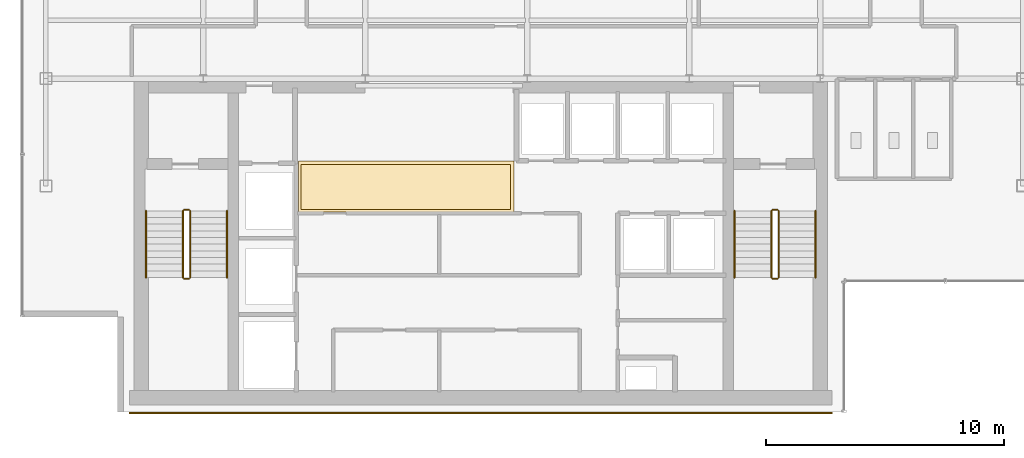
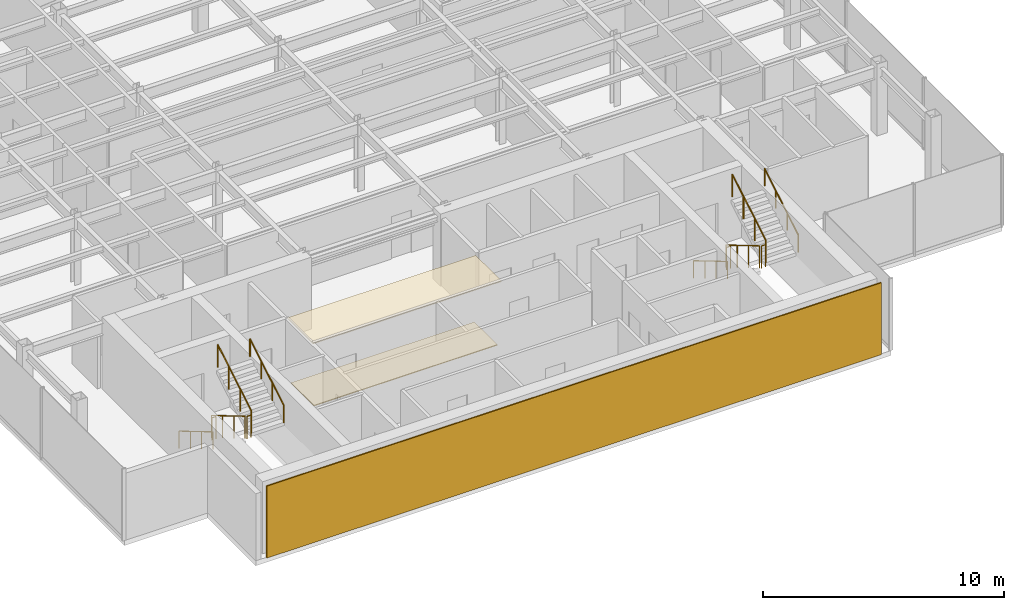
# One storey, part 20 of 22: 12 railings, 3 coverings.
"""IFC4 building model written with IfcOpenShell, lengths in metres."""

from ifc_helpers import new_model, si_unit, derived_unit, direction, frame, origin, origin_2d, place, context, subcontext, project, spatial, polyline, rectangle, circle, outline, extrude, source, transform, mapped, material, layer, layer_set, type_object, element, save


model = new_model("IFC4")

# Units and contexts
model_context = context("Model", 3, precision=1e-05, world=origin(), true_north=direction((0.0, 1.0)))
body_context = subcontext(model_context, "Body", "Model", "MODEL_VIEW")
ifc_project = project(units=[si_unit("LENGTHUNIT", "METRE"), si_unit("AREAUNIT", "SQUARE_METRE"), si_unit("VOLUMEUNIT", "CUBIC_METRE"), si_unit("PLANEANGLEUNIT", "RADIAN"), si_unit("MASSUNIT", "GRAM", prefix="KILO"), derived_unit("THERMALTRANSMITTANCEUNIT", [(si_unit("POWERUNIT", "WATT"), 1), (si_unit("LENGTHUNIT", "METRE"), -2), (si_unit("THERMODYNAMICTEMPERATUREUNIT", "KELVIN"), -1)])], contexts=[model_context])

# Site, building, storey
site_placement = place(None, origin())
site = spatial("IfcSite", under=ifc_project, at=site_placement, CompositionType="ELEMENT")
building_placement = place(site_placement, origin())
building = spatial("IfcBuilding", under=site, at=building_placement, Name="Skarnbrae Concourse Arena and Tower", CompositionType="ELEMENT")
storey_placement = place(building_placement, frame((0.0, 0.0, 266.10009765625)))
storey = spatial("IfcBuildingStorey", under=building, at=storey_placement, Name="L69", CompositionType="ELEMENT", Elevation=266.10009765625)

# Coverings
ifc_material_1 = material(Name="Mineral fibre acoustic ceiling tile", Category="other")
ifc_layer_1 = layer(ifc_material_1, 0.0400390625)
ifc_layer_set_1 = layer_set([ifc_layer_1], Name="Mineral fibre acoustic ceiling tile")
covering_type_1 = type_object("IfcCoveringType", Name="COV-CEIL-ACOUSTIC", PredefinedType="CEILING", material=ifc_layer_set_1)
covering_1_placement = place(storey_placement, frame((0.0, 0.0, 3.239990234375)))
element("IfcCovering", 1, at=covering_1_placement, inside=storey, type_object=covering_type_1, Name="L69 Lift lobby acoustic ceiling", PredefinedType="CEILING", context=body_context, shape_type="SweptSolid", body=[
    extrude(outline(polyline([(11.60009765625, 8.39990234375), (20.64990234375, 8.39990234375), (20.64990234375, 10.550048828125), (11.60009765625, 10.550048828125), (11.60009765625, 8.39990234375)])), origin(), (0.0, 0.0, 1.0), 0.039794921875),
])
ifc_material_2 = material(Name="Polished granite terrazzo flooring", Category="masonry")
ifc_layer_2 = layer(ifc_material_2, 0.0400390625)
ifc_layer_set_2 = layer_set([ifc_layer_2], Name="Polished granite terrazzo flooring")
covering_type_2 = type_object("IfcCoveringType", Name="COV-FLOOR-TERRAZZO", PredefinedType="FLOORING", material=ifc_layer_set_2)
covering_2_placement = place(storey_placement, origin())
element("IfcCovering", 2, at=covering_2_placement, inside=storey, type_object=covering_type_2, Name="L69 Lift lobby terrazzo flooring", PredefinedType="FLOORING", context=body_context, shape_type="SweptSolid", body=[
    extrude(outline(polyline([(11.699951171875, 8.5), (20.5, 8.5), (20.5, 10.39990234375), (11.699951171875, 10.39990234375), (11.699951171875, 8.5)])), origin(), (0.0, 0.0, 1.0), 0.039794921875),
])

# Railings
ifc_material_3 = material(Name="Steel CSA G40.21 350W", Category="steel")
railing_type_1 = type_object("IfcRailingType", Name="RAIL-HANDRAIL-900", PredefinedType="HANDRAIL", material=ifc_material_3)
railing_1_placement = place(storey_placement, frame((5.199951171875, 8.449951171875, 0.165771484375)))
element("IfcRailing", 3, at=railing_1_placement, inside=storey, type_object=railing_type_1, Name="L69 ST-1 stair handrail 1", PredefinedType="HANDRAIL", context=body_context, shape_type="SweptSolid", body=[
    extrude(circle(Radius=0.02392578125, at=origin_2d()), frame((0.0, 0.0, 0.8759765625), z_axis=(0.0, -0.860306154799, 0.50977771628), x_axis=(1.0, 0.0, 0.0)), (0.0, 0.0, 1.0), 3.254638671875),
    extrude(circle(Radius=0.02099609375, at=origin_2d()), origin(), (0.0, 0.0, 1.0), 0.851806640625),
    extrude(circle(Radius=0.02099609375, at=origin_2d()), frame((0.0, -0.933349609375, 0.552978515625)), (0.0, 0.0, 1.0), 0.851806640625),
    extrude(circle(Radius=0.02099609375, at=origin_2d()), frame((0.0, -1.86669921875, 1.106201171875)), (0.0, 0.0, 1.0), 0.851806640625),
    extrude(circle(Radius=0.02099609375, at=origin_2d()), frame((0.0, -2.800048828125, 1.6591796875)), (0.0, 0.0, 1.0), 0.851806640625),
])
railing_2_placement = place(storey_placement, frame((8.60009765625, 5.64990234375, 1.99072265625)))
element("IfcRailing", 4, at=railing_2_placement, inside=storey, type_object=railing_type_1, Name="L69 ST-1 stair handrail 2", PredefinedType="HANDRAIL", context=body_context, shape_type="SweptSolid", body=[
    extrude(circle(Radius=0.02392578125, at=origin_2d()), frame((0.0, 0.0, 0.8759765625), z_axis=(0.0, 0.860306154799, 0.50977771628), x_axis=(-1.0, 0.0, 0.0)), (0.0, 0.0, 1.0), 3.254638671875),
    extrude(circle(Radius=0.02099609375, at=origin_2d()), origin(), (0.0, 0.0, 1.0), 0.851806640625),
    extrude(circle(Radius=0.02099609375, at=origin_2d()), frame((0.0, 0.933349609375, 0.552978515625)), (0.0, 0.0, 1.0), 0.851806640625),
    extrude(circle(Radius=0.02099609375, at=origin_2d()), frame((0.0, 1.86669921875, 1.106201171875)), (0.0, 0.0, 1.0), 0.851806640625),
    extrude(circle(Radius=0.02099609375, at=origin_2d()), frame((0.0, 2.800048828125, 1.6591796875)), (0.0, 0.0, 1.0), 0.851806640625),
])
railing_3_placement = place(storey_placement, frame((29.89990234375, 8.449951171875, 0.165771484375)))
element("IfcRailing", 5, at=railing_3_placement, inside=storey, type_object=railing_type_1, Name="L69 ST-2 stair handrail 1", PredefinedType="HANDRAIL", context=body_context, shape_type="SweptSolid", body=[
    extrude(circle(Radius=0.02392578125, at=origin_2d()), frame((0.0, 0.0, 0.8759765625), z_axis=(0.0, -0.860306154799, 0.50977771628), x_axis=(1.0, 0.0, 0.0)), (0.0, 0.0, 1.0), 3.254638671875),
    extrude(circle(Radius=0.02099609375, at=origin_2d()), origin(), (0.0, 0.0, 1.0), 0.851806640625),
    extrude(circle(Radius=0.02099609375, at=origin_2d()), frame((0.0, -0.933349609375, 0.552978515625)), (0.0, 0.0, 1.0), 0.851806640625),
    extrude(circle(Radius=0.02099609375, at=origin_2d()), frame((0.0, -1.86669921875, 1.106201171875)), (0.0, 0.0, 1.0), 0.851806640625),
    extrude(circle(Radius=0.02099609375, at=origin_2d()), frame((0.0, -2.800048828125, 1.6591796875)), (0.0, 0.0, 1.0), 0.851806640625),
])
railing_4_placement = place(storey_placement, frame((33.300048828125, 5.64990234375, 1.99072265625)))
element("IfcRailing", 6, at=railing_4_placement, inside=storey, type_object=railing_type_1, Name="L69 ST-2 stair handrail 2", PredefinedType="HANDRAIL", context=body_context, shape_type="SweptSolid", body=[
    extrude(circle(Radius=0.02392578125, at=origin_2d()), frame((0.0, 0.0, 0.8759765625), z_axis=(0.0, 0.860306154799, 0.50977771628), x_axis=(-1.0, 0.0, 0.0)), (0.0, 0.0, 1.0), 3.254638671875),
    extrude(circle(Radius=0.02099609375, at=origin_2d()), origin(), (0.0, 0.0, 1.0), 0.851806640625),
    extrude(circle(Radius=0.02099609375, at=origin_2d()), frame((0.0, 0.933349609375, 0.552978515625)), (0.0, 0.0, 1.0), 0.851806640625),
    extrude(circle(Radius=0.02099609375, at=origin_2d()), frame((0.0, 1.86669921875, 1.106201171875)), (0.0, 0.0, 1.0), 0.851806640625),
    extrude(circle(Radius=0.02099609375, at=origin_2d()), frame((0.0, 2.800048828125, 1.6591796875)), (0.0, 0.0, 1.0), 0.851806640625),
])
railing_type_2 = type_object("IfcRailingType", Name="RAIL-STAIR-GUARD-1150", PredefinedType="GUARDRAIL", material=ifc_material_3)
railing_5_placement = place(storey_placement, frame((6.75, 8.449951171875, 0.165771484375)))
element("IfcRailing", 7, at=railing_5_placement, inside=storey, type_object=railing_type_2, Name="L69 ST-1 stair guard 1", PredefinedType="GUARDRAIL", context=body_context, shape_type="SweptSolid", body=[
    extrude(circle(Radius=0.02392578125, at=origin_2d()), frame((0.0, 0.0, 1.1259765625), z_axis=(0.0, -0.860306154799, 0.50977771628), x_axis=(1.0, 0.0, 0.0)), (0.0, 0.0, 1.0), 3.254638671875),
    extrude(circle(Radius=0.02099609375, at=origin_2d()), origin(), (0.0, 0.0, 1.0), 1.101806640625),
    extrude(circle(Radius=0.02099609375, at=origin_2d()), frame((0.0, -0.933349609375, 0.552978515625)), (0.0, 0.0, 1.0), 1.101806640625),
    extrude(circle(Radius=0.02099609375, at=origin_2d()), frame((0.0, -1.86669921875, 1.106201171875)), (0.0, 0.0, 1.0), 1.101806640625),
    extrude(circle(Radius=0.02099609375, at=origin_2d()), frame((0.0, -2.800048828125, 1.6591796875)), (0.0, 0.0, 1.0), 1.101806640625),
])
railing_6_placement = place(storey_placement, frame((6.800048828125, 5.60009765625, 1.824951171875)))
element("IfcRailing", 8, at=railing_6_placement, inside=storey, type_object=railing_type_2, Name="L69 ST-1 stair guard 2", PredefinedType="GUARDRAIL", context=body_context, shape_type="SweptSolid", body=[
    extrude(circle(Radius=0.02392578125, at=origin_2d()), frame((0.0, 0.0, 1.1259765625), z_axis=(1.0, 0.0, 0.0), x_axis=(0.0, 1.0, 0.0)), (0.0, 0.0, 1.0), 0.199951171875),
    extrude(circle(Radius=0.02099609375, at=origin_2d()), origin(), (0.0, 0.0, 1.0), 1.101806640625),
    extrude(circle(Radius=0.02099609375, at=origin_2d()), frame((0.199951171875, 0.0, 0.0)), (0.0, 0.0, 1.0), 1.101806640625),
])
railing_7_placement = place(storey_placement, frame((7.050048828125, 5.64990234375, 1.99072265625)))
element("IfcRailing", 9, at=railing_7_placement, inside=storey, type_object=railing_type_2, Name="L69 ST-1 stair guard 3", PredefinedType="GUARDRAIL", context=body_context, shape_type="SweptSolid", body=[
    extrude(circle(Radius=0.02392578125, at=origin_2d()), frame((0.0, 0.0, 1.1259765625), z_axis=(0.0, 0.860306154799, 0.50977771628), x_axis=(-1.0, 0.0, 0.0)), (0.0, 0.0, 1.0), 3.254638671875),
    extrude(circle(Radius=0.02099609375, at=origin_2d()), origin(), (0.0, 0.0, 1.0), 1.101806640625),
    extrude(circle(Radius=0.02099609375, at=origin_2d()), frame((0.0, 0.933349609375, 0.552978515625)), (0.0, 0.0, 1.0), 1.101806640625),
    extrude(circle(Radius=0.02099609375, at=origin_2d()), frame((0.0, 1.86669921875, 1.106201171875)), (0.0, 0.0, 1.0), 1.101806640625),
    extrude(circle(Radius=0.02099609375, at=origin_2d()), frame((0.0, 2.800048828125, 1.6591796875)), (0.0, 0.0, 1.0), 1.101806640625),
])
railing_8_placement = place(storey_placement, frame((6.800048828125, 8.5, 0.0)))
element("IfcRailing", 10, at=railing_8_placement, inside=storey, type_object=railing_type_2, Name="L69 ST-1 stair guard 4", PredefinedType="GUARDRAIL", context=body_context, shape_type="SweptSolid", body=[
    extrude(circle(Radius=0.02392578125, at=origin_2d()), frame((0.0, 0.0, 1.1259765625), z_axis=(1.0, 0.0, 0.0), x_axis=(0.0, 1.0, 0.0)), (0.0, 0.0, 1.0), 0.199951171875),
    extrude(circle(Radius=0.02099609375, at=origin_2d()), origin(), (0.0, 0.0, 1.0), 1.101806640625),
    extrude(circle(Radius=0.02099609375, at=origin_2d()), frame((0.199951171875, 0.0, 0.0)), (0.0, 0.0, 1.0), 1.101806640625),
])
railing_9_placement = place(storey_placement, frame((31.449951171875, 8.449951171875, 0.165771484375)))
element("IfcRailing", 11, at=railing_9_placement, inside=storey, type_object=railing_type_2, Name="L69 ST-2 stair guard 1", PredefinedType="GUARDRAIL", context=body_context, shape_type="SweptSolid", body=[
    extrude(circle(Radius=0.02392578125, at=origin_2d()), frame((0.0, 0.0, 1.1259765625), z_axis=(0.0, -0.860306154799, 0.50977771628), x_axis=(1.0, 0.0, 0.0)), (0.0, 0.0, 1.0), 3.254638671875),
    extrude(circle(Radius=0.02099609375, at=origin_2d()), origin(), (0.0, 0.0, 1.0), 1.101806640625),
    extrude(circle(Radius=0.02099609375, at=origin_2d()), frame((0.0, -0.933349609375, 0.552978515625)), (0.0, 0.0, 1.0), 1.101806640625),
    extrude(circle(Radius=0.02099609375, at=origin_2d()), frame((0.0, -1.86669921875, 1.106201171875)), (0.0, 0.0, 1.0), 1.101806640625),
    extrude(circle(Radius=0.02099609375, at=origin_2d()), frame((0.0, -2.800048828125, 1.6591796875)), (0.0, 0.0, 1.0), 1.101806640625),
])
railing_10_placement = place(storey_placement, frame((31.5, 5.60009765625, 1.824951171875)))
element("IfcRailing", 12, at=railing_10_placement, inside=storey, type_object=railing_type_2, Name="L69 ST-2 stair guard 2", PredefinedType="GUARDRAIL", context=body_context, shape_type="SweptSolid", body=[
    extrude(circle(Radius=0.02392578125, at=origin_2d()), frame((0.0, 0.0, 1.1259765625), z_axis=(1.0, 0.0, 0.0), x_axis=(0.0, 1.0, 0.0)), (0.0, 0.0, 1.0), 0.199951171875),
    extrude(circle(Radius=0.02099609375, at=origin_2d()), origin(), (0.0, 0.0, 1.0), 1.101806640625),
    extrude(circle(Radius=0.02099609375, at=origin_2d()), frame((0.199951171875, 0.0, 0.0)), (0.0, 0.0, 1.0), 1.101806640625),
])
railing_11_placement = place(storey_placement, frame((31.75, 5.64990234375, 1.99072265625)))
element("IfcRailing", 13, at=railing_11_placement, inside=storey, type_object=railing_type_2, Name="L69 ST-2 stair guard 3", PredefinedType="GUARDRAIL", context=body_context, shape_type="SweptSolid", body=[
    extrude(circle(Radius=0.02392578125, at=origin_2d()), frame((0.0, 0.0, 1.1259765625), z_axis=(0.0, 0.860306154799, 0.50977771628), x_axis=(-1.0, 0.0, 0.0)), (0.0, 0.0, 1.0), 3.254638671875),
    extrude(circle(Radius=0.02099609375, at=origin_2d()), origin(), (0.0, 0.0, 1.0), 1.101806640625),
    extrude(circle(Radius=0.02099609375, at=origin_2d()), frame((0.0, 0.933349609375, 0.552978515625)), (0.0, 0.0, 1.0), 1.101806640625),
    extrude(circle(Radius=0.02099609375, at=origin_2d()), frame((0.0, 1.86669921875, 1.106201171875)), (0.0, 0.0, 1.0), 1.101806640625),
    extrude(circle(Radius=0.02099609375, at=origin_2d()), frame((0.0, 2.800048828125, 1.6591796875)), (0.0, 0.0, 1.0), 1.101806640625),
])
railing_12_placement = place(storey_placement, frame((31.5, 8.5, 0.0)))
element("IfcRailing", 14, at=railing_12_placement, inside=storey, type_object=railing_type_2, Name="L69 ST-2 stair guard 4", PredefinedType="GUARDRAIL", context=body_context, shape_type="SweptSolid", body=[
    extrude(circle(Radius=0.02392578125, at=origin_2d()), frame((0.0, 0.0, 1.1259765625), z_axis=(1.0, 0.0, 0.0), x_axis=(0.0, 1.0, 0.0)), (0.0, 0.0, 1.0), 0.199951171875),
    extrude(circle(Radius=0.02099609375, at=origin_2d()), origin(), (0.0, 0.0, 1.0), 1.101806640625),
    extrude(circle(Radius=0.02099609375, at=origin_2d()), frame((0.199951171875, 0.0, 0.0)), (0.0, 0.0, 1.0), 1.101806640625),
])

# Covering
ifc_material_4 = material(Name="Bronze anodised aluminium 6063-T6", Category="aluminium")
ifc_layer_3 = layer(ifc_material_4, 0.06005859375)
ifc_layer_set_3 = layer_set([ifc_layer_3], Name="Bronze anodised aluminium 6063-T6")
covering_type_3 = type_object("IfcCoveringType", Name="COV-CLAD-BRONZE-60", PredefinedType="CLADDING", material=ifc_layer_set_3)
shared_shape = source(origin(), body_context, "Body", "SweptSolid", [
    extrude(rectangle(XDim=29.5, YDim=0.06005859375, at=origin_2d()), origin(), (0.0, 0.0, 1.0), 3.64990234375),
])
covering_3_placement = place(storey_placement, frame((19.25, -0.030029296875, 0.0), z_axis=(0.0, 0.0, 1.0), x_axis=(1.0, 0.0, 0.0)))
element("IfcCovering", 15, at=covering_3_placement, inside=storey, type_object=covering_type_3, Name="L69 Rear-core plumb spine bronze rainscreen panel", PredefinedType="CLADDING", context=body_context, shape_type="MappedRepresentation", body=[
    mapped(shared_shape, transform((0.0, 0.0, 0.0))),
])

save(model, "model.ifc")
